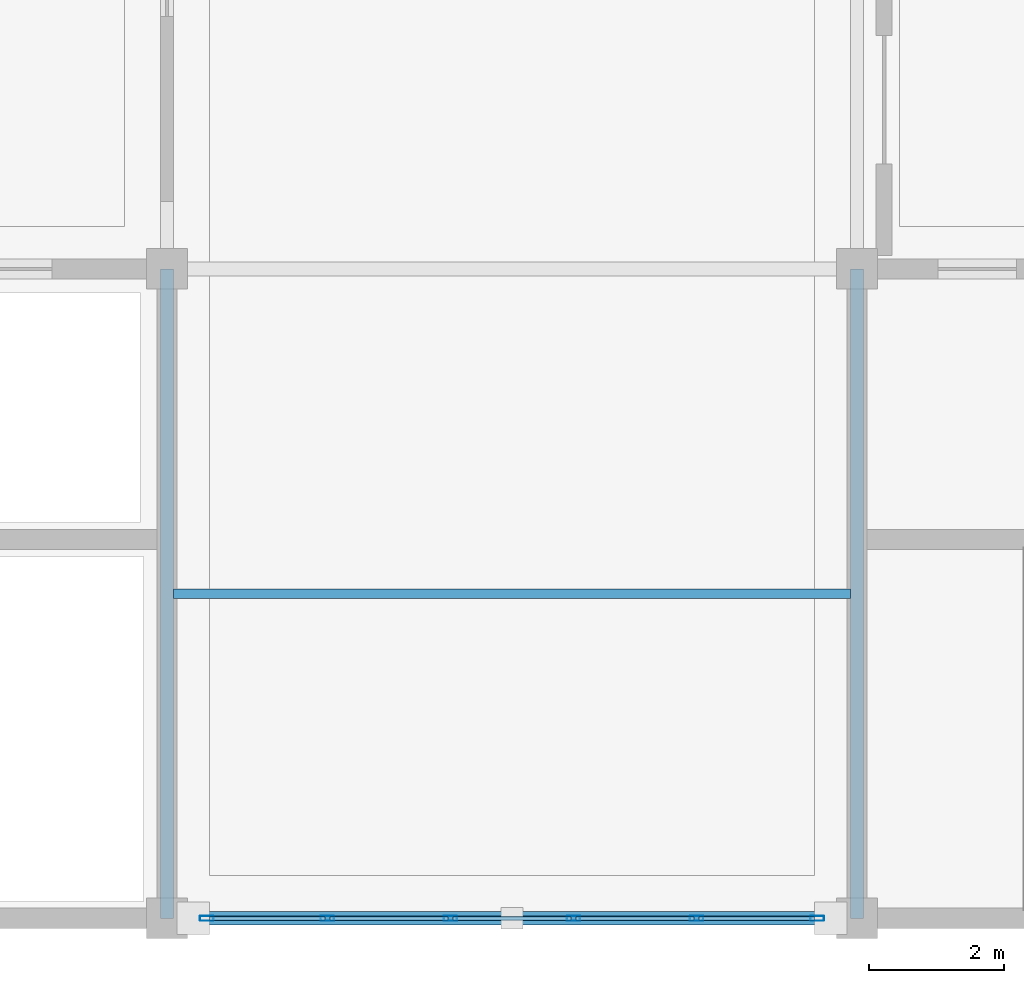
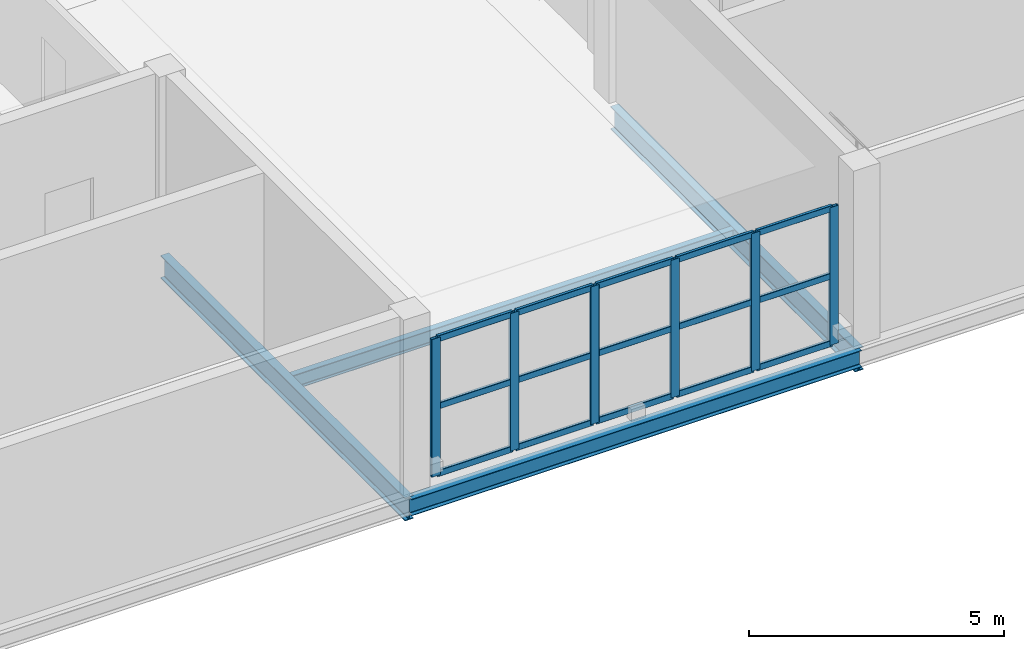
# One storey, part 4 of 12: 21 members, 4 beams, 1 element without a shape of its own.
"""IFC4 building model written with IfcOpenShell, lengths in metres."""

from ifc_helpers import new_model, si_unit, direction, frame, origin, origin_2d, place, context, subcontext, project, spatial, hollow_rectangle, i_section, extrude, material, material_profile, profile_set, type_object, element, aggregate, save


model = new_model("IFC4")

# Units and contexts
model_context = context("Model", 3, precision=1e-05, world=origin(), true_north=direction((0.0, 1.0)))
body_context = subcontext(model_context, "Body", "Model", "MODEL_VIEW")
ifc_project = project(units=[si_unit("LENGTHUNIT", "METRE"), si_unit("AREAUNIT", "SQUARE_METRE"), si_unit("VOLUMEUNIT", "CUBIC_METRE"), si_unit("PLANEANGLEUNIT", "RADIAN"), si_unit("MASSUNIT", "GRAM", prefix="KILO")], contexts=[model_context])

# Site, building, storey
site_placement = place(None, origin())
site = spatial("IfcSite", under=ifc_project, at=site_placement, CompositionType="ELEMENT")
building_placement = place(site_placement, origin())
building = spatial("IfcBuilding", under=site, at=building_placement, Name="Brelvane Convention Centre", CompositionType="ELEMENT")
storey_placement = place(building_placement, frame((0.0, 0.0, 23.39990234375)))
storey = spatial("IfcBuildingStorey", under=building, at=storey_placement, Name="L05", CompositionType="ELEMENT", Elevation=23.39990234375)

# Curtain wall, members
ifc_material_1 = material(Name="Anodised Aluminium Alloy 6063-T6", Category="aluminium")
curtain_wall_type = type_object("IfcCurtainWallType", Name="Curtain Wall CW-COURT", PredefinedType="USERDEFINED", material=ifc_material_1)
curtain_wall_placement = place(storey_placement, origin())
curtain_wall = element("IfcCurtainWall", 1, at=curtain_wall_placement, inside=storey, type_object=curtain_wall_type, Name="Curtain Wall CW-COURT L05-V4S-03", ObjectType="UNITISED", PredefinedType="USERDEFINED")
ifc_material_2 = material(Name="Anodised Aluminium Alloy 6063-T6", Category="aluminium")
ifc_material_profile_1 = material_profile(ifc_material_2, hollow_rectangle(XDim=0.074951171875, YDim=0.199951171875, WallThickness=0.0048828125, InnerFilletRadius=0.0048828125, OuterFilletRadius=0.010009765625, at=origin_2d()), Name="ALU-M 200x75x5.0")
ifc_profile_set_1 = profile_set([ifc_material_profile_1], Name="Anodised Aluminium Alloy 6063-T6")
member_type_1 = type_object("IfcMemberType", Name="Curtain Mullion CW-M2", PredefinedType="MULLION", material=ifc_profile_set_1)
member_1_placement = place(storey_placement, frame((20.987548828125, 109.199951171875, 0.0), z_axis=(0.0, 0.0, 1.0), x_axis=(0.0, 1.0, 0.0)))
member_1 = element("IfcMember", 2, at=member_1_placement, type_object=member_type_1, Name="CW-COURT mullion 1", PredefinedType="MULLION", context=body_context, shape_type="SweptSolid", body=[
    extrude(hollow_rectangle(XDim=0.074951171875, YDim=0.199951171875, WallThickness=0.0048828125, InnerFilletRadius=0.0048828125, OuterFilletRadius=0.010009765625, at=origin_2d()), origin(), (0.0, 0.0, 1.0), 3.300048828125),
])
member_2_placement = place(storey_placement, frame((22.77001953125, 109.199951171875, 0.0), z_axis=(0.0, 0.0, 1.0), x_axis=(0.0, 1.0, 0.0)))
member_2 = element("IfcMember", 3, at=member_2_placement, type_object=member_type_1, Name="CW-COURT mullion 2", PredefinedType="MULLION", context=body_context, shape_type="SweptSolid", body=[
    extrude(hollow_rectangle(XDim=0.074951171875, YDim=0.199951171875, WallThickness=0.0048828125, InnerFilletRadius=0.0048828125, OuterFilletRadius=0.010009765625, at=origin_2d()), origin(), (0.0, 0.0, 1.0), 3.300048828125),
])
member_3_placement = place(storey_placement, frame((24.590087890625, 109.199951171875, 0.0), z_axis=(0.0, 0.0, 1.0), x_axis=(0.0, 1.0, 0.0)))
member_3 = element("IfcMember", 4, at=member_3_placement, type_object=member_type_1, Name="CW-COURT mullion 3", PredefinedType="MULLION", context=body_context, shape_type="SweptSolid", body=[
    extrude(hollow_rectangle(XDim=0.074951171875, YDim=0.199951171875, WallThickness=0.0048828125, InnerFilletRadius=0.0048828125, OuterFilletRadius=0.010009765625, at=origin_2d()), origin(), (0.0, 0.0, 1.0), 3.300048828125),
])
member_4_placement = place(storey_placement, frame((26.409912109375, 109.199951171875, 0.0), z_axis=(0.0, 0.0, 1.0), x_axis=(0.0, 1.0, 0.0)))
member_4 = element("IfcMember", 5, at=member_4_placement, type_object=member_type_1, Name="CW-COURT mullion 4", PredefinedType="MULLION", context=body_context, shape_type="SweptSolid", body=[
    extrude(hollow_rectangle(XDim=0.074951171875, YDim=0.199951171875, WallThickness=0.0048828125, InnerFilletRadius=0.0048828125, OuterFilletRadius=0.010009765625, at=origin_2d()), origin(), (0.0, 0.0, 1.0), 3.300048828125),
])
member_5_placement = place(storey_placement, frame((28.22998046875, 109.199951171875, 0.0), z_axis=(0.0, 0.0, 1.0), x_axis=(0.0, 1.0, 0.0)))
member_5 = element("IfcMember", 6, at=member_5_placement, type_object=member_type_1, Name="CW-COURT mullion 5", PredefinedType="MULLION", context=body_context, shape_type="SweptSolid", body=[
    extrude(hollow_rectangle(XDim=0.074951171875, YDim=0.199951171875, WallThickness=0.0048828125, InnerFilletRadius=0.0048828125, OuterFilletRadius=0.010009765625, at=origin_2d()), origin(), (0.0, 0.0, 1.0), 3.300048828125),
])
member_6_placement = place(storey_placement, frame((30.012451171875, 109.199951171875, 0.0), z_axis=(0.0, 0.0, 1.0), x_axis=(0.0, 1.0, 0.0)))
member_6 = element("IfcMember", 7, at=member_6_placement, type_object=member_type_1, Name="CW-COURT mullion 6", PredefinedType="MULLION", context=body_context, shape_type="SweptSolid", body=[
    extrude(hollow_rectangle(XDim=0.074951171875, YDim=0.199951171875, WallThickness=0.0048828125, InnerFilletRadius=0.0048828125, OuterFilletRadius=0.010009765625, at=origin_2d()), origin(), (0.0, 0.0, 1.0), 3.300048828125),
])
ifc_material_3 = material(Name="Anodised Aluminium Alloy 6063-T6", Category="aluminium")
ifc_material_profile_2 = material_profile(ifc_material_3, hollow_rectangle(XDim=0.070068359375, YDim=0.14990234375, WallThickness=0.00439453125, InnerFilletRadius=0.00439453125, OuterFilletRadius=0.009033203125, at=origin_2d()), Name="ALU-T 150x70x4.5")
ifc_profile_set_2 = profile_set([ifc_material_profile_2], Name="Anodised Aluminium Alloy 6063-T6")
member_type_2 = type_object("IfcMemberType", Name="Curtain Transom CW-T2", PredefinedType="USERDEFINED", material=ifc_profile_set_2)
member_7_placement = place(storey_placement, frame((21.02490234375, 109.199951171875, 0.03515625), z_axis=(1.0, 0.0, 0.0), x_axis=(0.0, 1.0, 0.0)))
member_7 = element("IfcMember", 8, at=member_7_placement, type_object=member_type_2, Name="CW-COURT transom 1.1", ObjectType="TRANSOM", PredefinedType="USERDEFINED", context=body_context, shape_type="SweptSolid", body=[
    extrude(hollow_rectangle(XDim=0.070068359375, YDim=0.14990234375, WallThickness=0.00439453125, InnerFilletRadius=0.00439453125, OuterFilletRadius=0.009033203125, at=origin_2d()), origin(), (0.0, 0.0, 1.0), 1.70751953125),
])
member_8_placement = place(storey_placement, frame((21.02490234375, 109.199951171875, 1.650146484375), z_axis=(1.0, 0.0, 0.0), x_axis=(0.0, 1.0, 0.0)))
member_8 = element("IfcMember", 9, at=member_8_placement, type_object=member_type_2, Name="CW-COURT transom 1.2", ObjectType="TRANSOM", PredefinedType="USERDEFINED", context=body_context, shape_type="SweptSolid", body=[
    extrude(hollow_rectangle(XDim=0.070068359375, YDim=0.14990234375, WallThickness=0.00439453125, InnerFilletRadius=0.00439453125, OuterFilletRadius=0.009033203125, at=origin_2d()), origin(), (0.0, 0.0, 1.0), 1.70751953125),
])
member_9_placement = place(storey_placement, frame((21.02490234375, 109.199951171875, 3.26513671875), z_axis=(1.0, 0.0, 0.0), x_axis=(0.0, 1.0, 0.0)))
member_9 = element("IfcMember", 10, at=member_9_placement, type_object=member_type_2, Name="CW-COURT transom 1.3", ObjectType="TRANSOM", PredefinedType="USERDEFINED", context=body_context, shape_type="SweptSolid", body=[
    extrude(hollow_rectangle(XDim=0.070068359375, YDim=0.14990234375, WallThickness=0.00439453125, InnerFilletRadius=0.00439453125, OuterFilletRadius=0.009033203125, at=origin_2d()), origin(), (0.0, 0.0, 1.0), 1.70751953125),
])
member_10_placement = place(storey_placement, frame((22.8076171875, 109.199951171875, 0.03515625), z_axis=(1.0, 0.0, 0.0), x_axis=(0.0, 1.0, 0.0)))
member_10 = element("IfcMember", 11, at=member_10_placement, type_object=member_type_2, Name="CW-COURT transom 2.1", ObjectType="TRANSOM", PredefinedType="USERDEFINED", context=body_context, shape_type="SweptSolid", body=[
    extrude(hollow_rectangle(XDim=0.070068359375, YDim=0.14990234375, WallThickness=0.00439453125, InnerFilletRadius=0.00439453125, OuterFilletRadius=0.009033203125, at=origin_2d()), origin(), (0.0, 0.0, 1.0), 1.744873046875),
])
member_11_placement = place(storey_placement, frame((22.8076171875, 109.199951171875, 1.650146484375), z_axis=(1.0, 0.0, 0.0), x_axis=(0.0, 1.0, 0.0)))
member_11 = element("IfcMember", 12, at=member_11_placement, type_object=member_type_2, Name="CW-COURT transom 2.2", ObjectType="TRANSOM", PredefinedType="USERDEFINED", context=body_context, shape_type="SweptSolid", body=[
    extrude(hollow_rectangle(XDim=0.070068359375, YDim=0.14990234375, WallThickness=0.00439453125, InnerFilletRadius=0.00439453125, OuterFilletRadius=0.009033203125, at=origin_2d()), origin(), (0.0, 0.0, 1.0), 1.744873046875),
])
member_12_placement = place(storey_placement, frame((22.8076171875, 109.199951171875, 3.26513671875), z_axis=(1.0, 0.0, 0.0), x_axis=(0.0, 1.0, 0.0)))
member_12 = element("IfcMember", 13, at=member_12_placement, type_object=member_type_2, Name="CW-COURT transom 2.3", ObjectType="TRANSOM", PredefinedType="USERDEFINED", context=body_context, shape_type="SweptSolid", body=[
    extrude(hollow_rectangle(XDim=0.070068359375, YDim=0.14990234375, WallThickness=0.00439453125, InnerFilletRadius=0.00439453125, OuterFilletRadius=0.009033203125, at=origin_2d()), origin(), (0.0, 0.0, 1.0), 1.744873046875),
])
member_13_placement = place(storey_placement, frame((24.62744140625, 109.199951171875, 0.03515625), z_axis=(1.0, 0.0, 0.0), x_axis=(0.0, 1.0, 0.0)))
member_13 = element("IfcMember", 14, at=member_13_placement, type_object=member_type_2, Name="CW-COURT transom 3.1", ObjectType="TRANSOM", PredefinedType="USERDEFINED", context=body_context, shape_type="SweptSolid", body=[
    extrude(hollow_rectangle(XDim=0.070068359375, YDim=0.14990234375, WallThickness=0.00439453125, InnerFilletRadius=0.00439453125, OuterFilletRadius=0.009033203125, at=origin_2d()), origin(), (0.0, 0.0, 1.0), 1.7451171875),
])
member_14_placement = place(storey_placement, frame((24.62744140625, 109.199951171875, 1.650146484375), z_axis=(1.0, 0.0, 0.0), x_axis=(0.0, 1.0, 0.0)))
member_14 = element("IfcMember", 15, at=member_14_placement, type_object=member_type_2, Name="CW-COURT transom 3.2", ObjectType="TRANSOM", PredefinedType="USERDEFINED", context=body_context, shape_type="SweptSolid", body=[
    extrude(hollow_rectangle(XDim=0.070068359375, YDim=0.14990234375, WallThickness=0.00439453125, InnerFilletRadius=0.00439453125, OuterFilletRadius=0.009033203125, at=origin_2d()), origin(), (0.0, 0.0, 1.0), 1.7451171875),
])
member_15_placement = place(storey_placement, frame((24.62744140625, 109.199951171875, 3.26513671875), z_axis=(1.0, 0.0, 0.0), x_axis=(0.0, 1.0, 0.0)))
member_15 = element("IfcMember", 16, at=member_15_placement, type_object=member_type_2, Name="CW-COURT transom 3.3", ObjectType="TRANSOM", PredefinedType="USERDEFINED", context=body_context, shape_type="SweptSolid", body=[
    extrude(hollow_rectangle(XDim=0.070068359375, YDim=0.14990234375, WallThickness=0.00439453125, InnerFilletRadius=0.00439453125, OuterFilletRadius=0.009033203125, at=origin_2d()), origin(), (0.0, 0.0, 1.0), 1.7451171875),
])
member_16_placement = place(storey_placement, frame((26.447509765625, 109.199951171875, 0.03515625), z_axis=(1.0, 0.0, 0.0), x_axis=(0.0, 1.0, 0.0)))
member_16 = element("IfcMember", 17, at=member_16_placement, type_object=member_type_2, Name="CW-COURT transom 4.1", ObjectType="TRANSOM", PredefinedType="USERDEFINED", context=body_context, shape_type="SweptSolid", body=[
    extrude(hollow_rectangle(XDim=0.070068359375, YDim=0.14990234375, WallThickness=0.00439453125, InnerFilletRadius=0.00439453125, OuterFilletRadius=0.009033203125, at=origin_2d()), origin(), (0.0, 0.0, 1.0), 1.744873046875),
])
member_17_placement = place(storey_placement, frame((26.447509765625, 109.199951171875, 1.650146484375), z_axis=(1.0, 0.0, 0.0), x_axis=(0.0, 1.0, 0.0)))
member_17 = element("IfcMember", 18, at=member_17_placement, type_object=member_type_2, Name="CW-COURT transom 4.2", ObjectType="TRANSOM", PredefinedType="USERDEFINED", context=body_context, shape_type="SweptSolid", body=[
    extrude(hollow_rectangle(XDim=0.070068359375, YDim=0.14990234375, WallThickness=0.00439453125, InnerFilletRadius=0.00439453125, OuterFilletRadius=0.009033203125, at=origin_2d()), origin(), (0.0, 0.0, 1.0), 1.744873046875),
])
member_18_placement = place(storey_placement, frame((26.447509765625, 109.199951171875, 3.26513671875), z_axis=(1.0, 0.0, 0.0), x_axis=(0.0, 1.0, 0.0)))
member_18 = element("IfcMember", 19, at=member_18_placement, type_object=member_type_2, Name="CW-COURT transom 4.3", ObjectType="TRANSOM", PredefinedType="USERDEFINED", context=body_context, shape_type="SweptSolid", body=[
    extrude(hollow_rectangle(XDim=0.070068359375, YDim=0.14990234375, WallThickness=0.00439453125, InnerFilletRadius=0.00439453125, OuterFilletRadius=0.009033203125, at=origin_2d()), origin(), (0.0, 0.0, 1.0), 1.744873046875),
])
member_19_placement = place(storey_placement, frame((28.267578125, 109.199951171875, 0.03515625), z_axis=(1.0, 0.0, 0.0), x_axis=(0.0, 1.0, 0.0)))
member_19 = element("IfcMember", 20, at=member_19_placement, type_object=member_type_2, Name="CW-COURT transom 5.1", ObjectType="TRANSOM", PredefinedType="USERDEFINED", context=body_context, shape_type="SweptSolid", body=[
    extrude(hollow_rectangle(XDim=0.070068359375, YDim=0.14990234375, WallThickness=0.00439453125, InnerFilletRadius=0.00439453125, OuterFilletRadius=0.009033203125, at=origin_2d()), origin(), (0.0, 0.0, 1.0), 1.70751953125),
])
member_20_placement = place(storey_placement, frame((28.267578125, 109.199951171875, 1.650146484375), z_axis=(1.0, 0.0, 0.0), x_axis=(0.0, 1.0, 0.0)))
member_20 = element("IfcMember", 21, at=member_20_placement, type_object=member_type_2, Name="CW-COURT transom 5.2", ObjectType="TRANSOM", PredefinedType="USERDEFINED", context=body_context, shape_type="SweptSolid", body=[
    extrude(hollow_rectangle(XDim=0.070068359375, YDim=0.14990234375, WallThickness=0.00439453125, InnerFilletRadius=0.00439453125, OuterFilletRadius=0.009033203125, at=origin_2d()), origin(), (0.0, 0.0, 1.0), 1.70751953125),
])
member_21_placement = place(storey_placement, frame((28.267578125, 109.199951171875, 3.26513671875), z_axis=(1.0, 0.0, 0.0), x_axis=(0.0, 1.0, 0.0)))
member_21 = element("IfcMember", 22, at=member_21_placement, type_object=member_type_2, Name="CW-COURT transom 5.3", ObjectType="TRANSOM", PredefinedType="USERDEFINED", context=body_context, shape_type="SweptSolid", body=[
    extrude(hollow_rectangle(XDim=0.070068359375, YDim=0.14990234375, WallThickness=0.00439453125, InnerFilletRadius=0.00439453125, OuterFilletRadius=0.009033203125, at=origin_2d()), origin(), (0.0, 0.0, 1.0), 1.70751953125),
])
aggregate(curtain_wall, [member_1, member_2, member_3, member_4, member_5, member_6, member_7, member_8, member_9, member_10, member_11, member_12, member_13, member_14, member_15, member_16, member_17, member_18, member_19, member_20, member_21])

# Beams
ifc_material_4 = material(Name="Steel E350 (350 MPa)", Category="steel")
ifc_material_profile_3 = material_profile(ifc_material_4, i_section(OverallWidth=0.18994140625, OverallDepth=0.550048828125, WebThickness=0.01123046875, FlangeThickness=0.019287109375, FilletRadius=0.01806640625, at=origin_2d()), Name="ISMB 550")
ifc_profile_set_3 = profile_set([ifc_material_profile_3], Name="Steel E350 (350 MPa)")
beam_type_1 = type_object("IfcBeamType", Name="Steel Beam B-ST8 (ISMB 550)", PredefinedType="BEAM", material=ifc_profile_set_3)
for number, where, z_axis, x_axis, name in (
    (23, (20.39990234375, 109.199951171875, -0.58984375), (0.0, 1.0, 0.0), (-1.0, 0.0, 0.0), "L05 Girder 3/L-M"),
    (24, (30.60009765625, 109.199951171875, -0.58984375), (0.0, 1.0, 0.0), (-1.0, 0.0, 0.0), "L05 Girder 4/L-M"),
):
    element("IfcBeam", number, at=place(storey_placement, frame(where, z_axis=z_axis, x_axis=x_axis)), inside=storey, type_object=beam_type_1, Name=name, PredefinedType="BEAM", context=body_context, shape_type="SweptSolid", body=[
        extrude(i_section(OverallWidth=0.18994140625, OverallDepth=0.550048828125, WebThickness=0.01123046875, FlangeThickness=0.019287109375, FilletRadius=0.01806640625, at=origin_2d()), origin(), (0.0, 0.0, 1.0), 9.60009765625),
    ])
ifc_material_5 = material(Name="Steel E350 (350 MPa)", Category="steel")
ifc_material_profile_4 = material_profile(ifc_material_5, i_section(OverallWidth=0.139892578125, OverallDepth=0.35009765625, WebThickness=0.008056640625, FlangeThickness=0.01416015625, FilletRadius=0.013916015625, at=origin_2d()), Name="ISMB 350")
ifc_profile_set_4 = profile_set([ifc_material_profile_4], Name="Steel E350 (350 MPa)")
beam_type_2 = type_object("IfcBeamType", Name="Steel Joist J-ST2 (ISMB 350)", PredefinedType="JOIST", material=ifc_profile_set_4)
beam_1_placement = place(storey_placement, frame((20.4951171875, 114.0, -0.489990234375), z_axis=(1.0, 0.0, 0.0), x_axis=(0.0, 1.0, 0.0)))
element("IfcBeam", 25, at=beam_1_placement, inside=storey, type_object=beam_type_2, Name="L05 Secondary Joist 3-4/LM", PredefinedType="JOIST", context=body_context, shape_type="SweptSolid", body=[
    extrude(i_section(OverallWidth=0.139892578125, OverallDepth=0.35009765625, WebThickness=0.008056640625, FlangeThickness=0.01416015625, FilletRadius=0.013916015625, at=origin_2d()), origin(), (0.0, 0.0, 1.0), 10.009765625),
])
ifc_material_6 = material(Name="Steel E350 (350 MPa)", Category="steel")
ifc_material_profile_5 = material_profile(ifc_material_6, i_section(OverallWidth=0.199951171875, OverallDepth=0.39990234375, WebThickness=0.008544921875, FlangeThickness=0.012939453125, FilletRadius=0.013916015625, at=origin_2d()), Name="ISWB 400")
ifc_profile_set_5 = profile_set([ifc_material_profile_5], Name="Steel E350 (350 MPa)")
beam_type_3 = type_object("IfcBeamType", Name="Steel Spandrel SP-ST2 (ISWB 400)", PredefinedType="SPANDREL", material=ifc_profile_set_5)
beam_2_placement = place(storey_placement, frame((20.39990234375, 109.199951171875, -0.514892578125), z_axis=(1.0, 0.0, 0.0), x_axis=(0.0, 1.0, 0.0)))
element("IfcBeam", 26, at=beam_2_placement, inside=storey, type_object=beam_type_3, Name="L05 Beam 3-4/L", PredefinedType="SPANDREL", context=body_context, shape_type="SweptSolid", body=[
    extrude(i_section(OverallWidth=0.199951171875, OverallDepth=0.39990234375, WebThickness=0.008544921875, FlangeThickness=0.012939453125, FilletRadius=0.013916015625, at=origin_2d()), origin(), (0.0, 0.0, 1.0), 10.2001953125),
])

save(model, "model.ifc")
